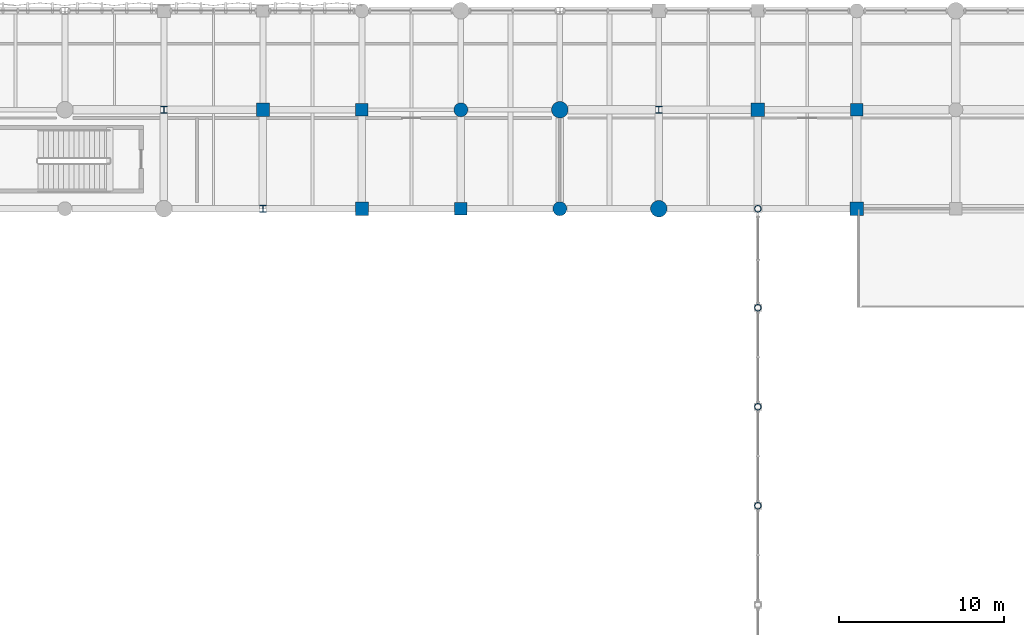
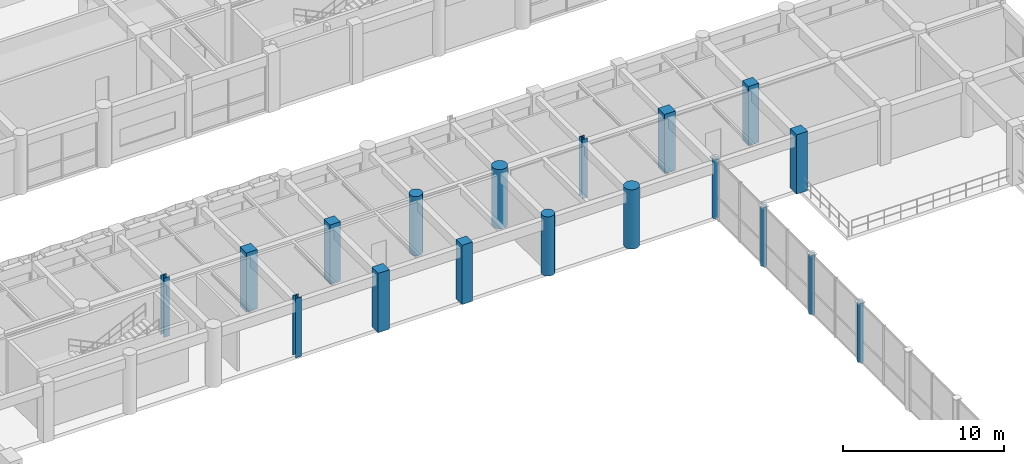
# One storey, part 11 of 133: 18 columns.
"""IFC4 building model written with IfcOpenShell, lengths in metres."""

from ifc_helpers import new_model, si_unit, direction, frame, origin, origin_2d, place, context, subcontext, project, spatial, rectangle, circle, hollow_circle, i_section, extrude, material, material_profile, profile_set, type_object, element, save


model = new_model("IFC4")

# Units and contexts
model_context = context("Model", 3, precision=1e-05, world=origin(), true_north=direction((0.0, 1.0)))
body_context = subcontext(model_context, "Body", "Model", "MODEL_VIEW")
ifc_project = project(units=[si_unit("LENGTHUNIT", "METRE"), si_unit("AREAUNIT", "SQUARE_METRE"), si_unit("VOLUMEUNIT", "CUBIC_METRE"), si_unit("PLANEANGLEUNIT", "RADIAN"), si_unit("MASSUNIT", "GRAM", prefix="KILO"), si_unit("THERMODYNAMICTEMPERATUREUNIT", "KELVIN"), si_unit("POWERUNIT", "WATT")], contexts=[model_context])

# Site, building, storey
site_placement = place(None, origin())
site = spatial("IfcSite", under=ifc_project, at=site_placement, CompositionType="ELEMENT")
building_placement = place(site_placement, origin())
building = spatial("IfcBuilding", under=site, at=building_placement, Name="Phaisarnlok Congress Hotel", CompositionType="ELEMENT")
storey_placement = place(building_placement, frame((0.0, 0.0, 6.0)))
storey = spatial("IfcBuildingStorey", under=building, at=storey_placement, Name="L01", CompositionType="ELEMENT", Elevation=6.0)

# Columns
ifc_material_1 = material(Name="Concrete C50/60", Category="concrete")
ifc_material_profile_1 = material_profile(ifc_material_1, rectangle(XDim=0.75, YDim=0.75, at=origin_2d()), Name="RC 750x750")
ifc_profile_set_1 = profile_set([ifc_material_profile_1], Name="Concrete C50/60")
column_type_1 = type_object("IfcColumnType", Name="COL-RC-750", PredefinedType="COLUMN", material=ifc_profile_set_1)
for number, where, z_axis, x_axis, name in (
    (1, (96.0, 90.0, 0.0), (0.0, 0.0, 1.0), (1.0, 0.0, 0.0), "Column C-06 (L01)"),
    (2, (102.0, 84.0, 0.0), (0.0, 0.0, 1.0), (1.0, 0.0, 0.0), "Column C-06 (L01)"),
    (3, (126.0, 90.0, 0.0), (0.0, 0.0, 1.0), (1.0, 0.0, 0.0), "Column C-06 (L01)"),
):
    element("IfcColumn", number, at=place(storey_placement, frame(where, z_axis=z_axis, x_axis=x_axis)), inside=storey, type_object=column_type_1, Name=name, PredefinedType="COLUMN", context=body_context, shape_type="SweptSolid", body=[
        extrude(rectangle(XDim=0.75, YDim=0.75, at=origin_2d()), origin(), (0.0, 0.0, 1.0), 4.5),
    ])
ifc_material_profile_2 = material_profile(ifc_material_1, rectangle(XDim=0.800048828125, YDim=0.800048828125, at=origin_2d()), Name="RC 800x800")
ifc_profile_set_2 = profile_set([ifc_material_profile_2], Name="Concrete C50/60")
column_type_2 = type_object("IfcColumnType", Name="COL-RC-800", PredefinedType="COLUMN", material=ifc_profile_set_2)
for number, where, z_axis, x_axis, name in (
    (4, (90.0, 90.0, 0.0), (0.0, 0.0, 1.0), (1.0, 0.0, 0.0), "Column C-07 (L01)"),
    (5, (96.0, 84.0, 0.0), (0.0, 0.0, 1.0), (1.0, 0.0, 0.0), "Column C-07 (L01)"),
    (6, (120.0, 90.0, 0.0), (0.0, 0.0, 1.0), (1.0, 0.0, 0.0), "Column C-07 (L01)"),
    (7, (126.0, 84.0, 0.0), (0.0, 0.0, 1.0), (1.0, 0.0, 0.0), "Column C-07 (L01)"),
):
    element("IfcColumn", number, at=place(storey_placement, frame(where, z_axis=z_axis, x_axis=x_axis)), inside=storey, type_object=column_type_2, Name=name, PredefinedType="COLUMN", context=body_context, shape_type="SweptSolid", body=[
        extrude(rectangle(XDim=0.800048828125, YDim=0.800048828125, at=origin_2d()), origin(), (0.0, 0.0, 1.0), 4.5),
    ])
ifc_material_profile_3 = material_profile(ifc_material_1, circle(Radius=0.5, at=origin_2d()), Name="RCC D1000")
ifc_profile_set_3 = profile_set([ifc_material_profile_3], Name="Concrete C50/60")
column_type_3 = type_object("IfcColumnType", Name="COL-RCC-1000", PredefinedType="COLUMN", material=ifc_profile_set_3)
for number, where, z_axis, x_axis, name in (
    (8, (108.0, 90.0, 0.0), (0.0, 0.0, 1.0), (1.0, 0.0, 0.0), "Column C-15 (L01)"),
    (9, (114.0, 84.0, 0.0), (0.0, 0.0, 1.0), (1.0, 0.0, 0.0), "Column C-15 (L01)"),
):
    element("IfcColumn", number, at=place(storey_placement, frame(where, z_axis=z_axis, x_axis=x_axis)), inside=storey, type_object=column_type_3, Name=name, PredefinedType="COLUMN", context=body_context, shape_type="SweptSolid", body=[
        extrude(circle(Radius=0.5, at=origin_2d()), origin(), (0.0, 0.0, 1.0), 4.5),
    ])
ifc_material_profile_4 = material_profile(ifc_material_1, circle(Radius=0.425048828125, at=origin_2d()), Name="RCC D850")
ifc_profile_set_4 = profile_set([ifc_material_profile_4], Name="Concrete C50/60")
column_type_4 = type_object("IfcColumnType", Name="COL-RCC-850", PredefinedType="COLUMN", material=ifc_profile_set_4)
for number, where, z_axis, x_axis, name in (
    (10, (102.0, 90.0, 0.0), (0.0, 0.0, 1.0), (1.0, 0.0, 0.0), "Column C-14 (L01)"),
    (11, (108.0, 84.0, 0.0), (0.0, 0.0, 1.0), (1.0, 0.0, 0.0), "Column C-14 (L01)"),
):
    element("IfcColumn", number, at=place(storey_placement, frame(where, z_axis=z_axis, x_axis=x_axis)), inside=storey, type_object=column_type_4, Name=name, PredefinedType="COLUMN", context=body_context, shape_type="SweptSolid", body=[
        extrude(circle(Radius=0.425048828125, at=origin_2d()), origin(), (0.0, 0.0, 1.0), 4.5),
    ])
ifc_material_2 = material(Name="Steel S355", Category="steel")
ifc_material_profile_5 = material_profile(ifc_material_2, hollow_circle(Radius=0.203125, WallThickness=0.02001953125, at=origin_2d()), Name="CHS 406.4x20")
ifc_profile_set_5 = profile_set([ifc_material_profile_5], Name="Steel S355")
column_type_5 = type_object("IfcColumnType", Name="COL-STL-CHS406-EXT", PredefinedType="COLUMN", material=ifc_profile_set_5)
for number, where, z_axis, x_axis, name in (
    (12, (120.0, 66.0, 0.0), (0.0, 0.0, 1.0), (1.0, 0.0, 0.0), "Column SC-02E (L01)"),
    (13, (120.0, 72.0, 0.0), (0.0, 0.0, 1.0), (1.0, 0.0, 0.0), "Column SC-02E (L01)"),
    (14, (120.0, 78.0, 0.0), (0.0, 0.0, 1.0), (1.0, 0.0, 0.0), "Column SC-02E (L01)"),
    (15, (120.0, 84.0, 0.0), (0.0, 0.0, 1.0), (1.0, 0.0, 0.0), "Column SC-02E (L01)"),
):
    element("IfcColumn", number, at=place(storey_placement, frame(where, z_axis=z_axis, x_axis=x_axis)), inside=storey, type_object=column_type_5, Name=name, PredefinedType="COLUMN", context=body_context, shape_type="SweptSolid", body=[
        extrude(hollow_circle(Radius=0.203125, WallThickness=0.02001953125, at=origin_2d()), origin(), (0.0, 0.0, 1.0), 4.5),
    ])
ifc_material_profile_6 = material_profile(ifc_material_2, i_section(OverallWidth=0.40087890625, OverallDepth=0.39892578125, WebThickness=0.0185546875, FlangeThickness=0.030029296875, FilletRadius=0.014892578125, at=origin_2d()), Name="HD 400x314")
ifc_profile_set_6 = profile_set([ifc_material_profile_6], Name="Steel S355")
column_type_6 = type_object("IfcColumnType", Name="COL-STL-HD314", PredefinedType="COLUMN", material=ifc_profile_set_6)
for number, where, z_axis, x_axis, name in (
    (16, (84.0, 90.0, 0.0), (0.0, 0.0, 1.0), (1.0, 0.0, 0.0), "Column SC-04 (L01)"),
    (17, (90.0, 84.0, 0.0), (0.0, 0.0, 1.0), (1.0, 0.0, 0.0), "Column SC-04 (L01)"),
    (18, (114.0, 90.0, 0.0), (0.0, 0.0, 1.0), (1.0, 0.0, 0.0), "Column SC-04 (L01)"),
):
    element("IfcColumn", number, at=place(storey_placement, frame(where, z_axis=z_axis, x_axis=x_axis)), inside=storey, type_object=column_type_6, Name=name, PredefinedType="COLUMN", context=body_context, shape_type="SweptSolid", body=[
        extrude(i_section(OverallWidth=0.40087890625, OverallDepth=0.39892578125, WebThickness=0.0185546875, FlangeThickness=0.030029296875, FilletRadius=0.014892578125, at=origin_2d()), origin(), (0.0, 0.0, 1.0), 4.5),
    ])

save(model, "model.ifc")
